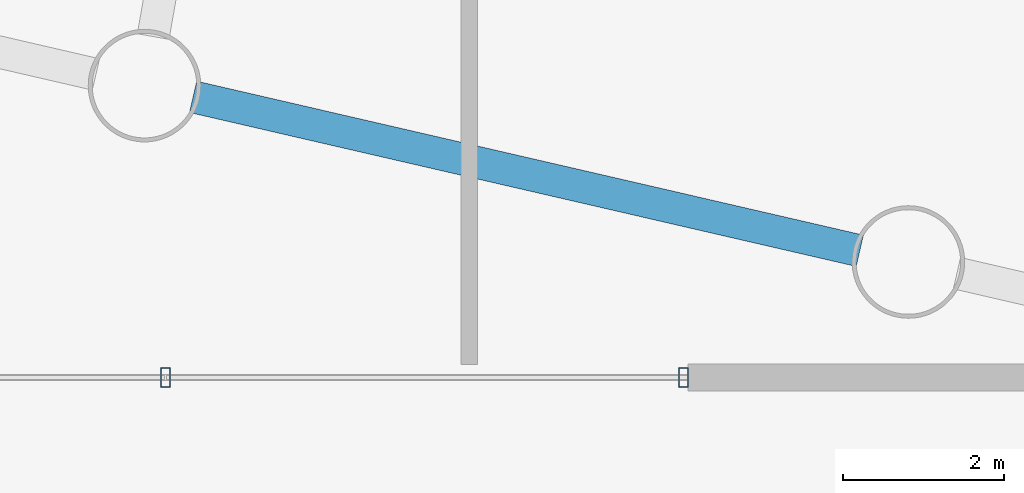
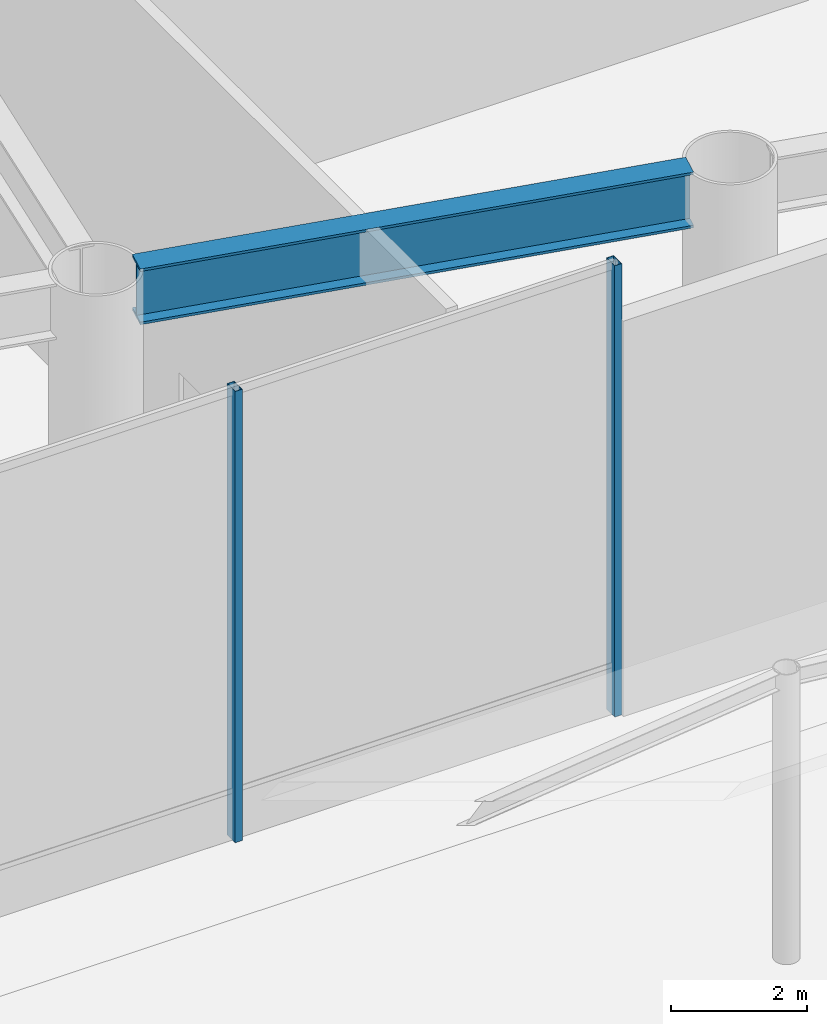
# One storey, part 11 of 28: 2 members, 1 beam, 1 element without a shape of its own.
"""IFC4 building model written with IfcOpenShell, lengths in metres."""

from ifc_helpers import new_model, si_unit, direction, frame, origin, origin_2d, place, context, subcontext, project, spatial, hollow_rectangle, i_section, extrude, material, layer, layer_set, material_profile, profile_set, type_object, element, aggregate, save


model = new_model("IFC4")

# Units and contexts
model_context = context("Model", 3, precision=1e-05, world=origin(), true_north=direction((0.0, 1.0)))
body_context = subcontext(model_context, "Body", "Model", "MODEL_VIEW")
ifc_project = project(units=[si_unit("LENGTHUNIT", "METRE"), si_unit("AREAUNIT", "SQUARE_METRE"), si_unit("VOLUMEUNIT", "CUBIC_METRE"), si_unit("PLANEANGLEUNIT", "RADIAN"), si_unit("MASSUNIT", "GRAM", prefix="KILO")], contexts=[model_context])

# Site, building, storey
site_placement = place(None, origin())
site = spatial("IfcSite", under=ifc_project, at=site_placement, CompositionType="ELEMENT")
building_placement = place(site_placement, origin())
building = spatial("IfcBuilding", under=site, at=building_placement, Name="Tavrogorsk Clinical Tower", CompositionType="ELEMENT")
storey_placement = place(building_placement, origin())
storey = spatial("IfcBuildingStorey", under=building, at=storey_placement, Name="L00", CompositionType="ELEMENT", Elevation=0.0)

# Curtain wall, members
ifc_material_1 = material(Name="Anodised aluminium and triple IGU glazing", Category="aluminium")
ifc_layer = layer(ifc_material_1, 0.179931640625)
ifc_layer_set = layer_set([ifc_layer], Name="Anodised aluminium and triple IGU glazing")
curtain_wall_type = type_object("IfcCurtainWallType", Name="CW1_LobbyStick", PredefinedType="NOTDEFINED", material=ifc_layer_set)
curtain_wall_placement = place(storey_placement, origin())
curtain_wall = element("IfcCurtainWall", 1, at=curtain_wall_placement, inside=storey, type_object=curtain_wall_type, Name="L00 Curtain Wall CW-L00-S1", PredefinedType="NOTDEFINED")
ifc_material_2 = material(Name="Anodised aluminium alloy AW-6060", Category="aluminium")
ifc_material_profile_1 = material_profile(ifc_material_2, hollow_rectangle(XDim=0.1201171875, YDim=0.239990234375, WallThickness=0.008056640625, at=origin_2d()), Name="RHS-240x120x8")
ifc_profile_set_1 = profile_set([ifc_material_profile_1], Name="Anodised aluminium alloy AW-6060")
member_type = type_object("IfcMemberType", Name="CwMullion_240x120", PredefinedType="MULLION", material=ifc_profile_set_1)
member_1_placement = place(storey_placement, frame((6.501953125, -33.0, 0.0), z_axis=(0.0, 0.0, 1.0), x_axis=(1.0, 0.0, 0.0)))
member_1 = element("IfcMember", 2, at=member_1_placement, type_object=member_type, Name="CW-L00-S1 Mullion 4", PredefinedType="MULLION", context=body_context, shape_type="SweptSolid", body=[
    extrude(hollow_rectangle(XDim=0.1201171875, YDim=0.239990234375, WallThickness=0.008056640625, at=origin_2d()), origin(), (0.0, 0.0, 1.0), 8.10009765625),
])
member_2_placement = place(storey_placement, frame((12.944091796875, -33.0, 0.0), z_axis=(0.0, 0.0, 1.0), x_axis=(1.0, 0.0, 0.0)))
member_2 = element("IfcMember", 3, at=member_2_placement, type_object=member_type, Name="CW-L00-S1 Mullion 5", PredefinedType="MULLION", context=body_context, shape_type="SweptSolid", body=[
    extrude(hollow_rectangle(XDim=0.1201171875, YDim=0.239990234375, WallThickness=0.008056640625, at=origin_2d()), origin(), (0.0, 0.0, 1.0), 8.10009765625),
])
aggregate(curtain_wall, [member_1, member_2])

# Beam
ifc_material_3 = material(Name="Structural steel S440", Category="steel")
ifc_material_profile_2 = material_profile(ifc_material_3, i_section(OverallWidth=0.39990234375, OverallDepth=1.0, WebThickness=0.028076171875, FlangeThickness=0.044921875, at=origin_2d()), Name="DK-1000x400x28x45")
ifc_profile_set_2 = profile_set([ifc_material_profile_2], Name="Structural steel S440")
beam_type = type_object("IfcBeamType", Name="TransferGirder_DK1000", PredefinedType="USERDEFINED", material=ifc_profile_set_2)
beam_placement = place(storey_placement, frame((6.846435546875, -29.51025390625, 7.60009765625), z_axis=(0.974368945516, -0.224955902375, 0.0), x_axis=(0.224955902375, 0.974368945516, 0.0)))
element("IfcBeam", 4, at=beam_placement, inside=storey, type_object=beam_type, Name="L00 Perimeter Stilt Ring Girder S6-S7", ObjectType="GIRDER", PredefinedType="USERDEFINED", context=body_context, shape_type="SweptSolid", body=[
    extrude(i_section(OverallWidth=0.39990234375, OverallDepth=1.0, WebThickness=0.028076171875, FlangeThickness=0.044921875, at=origin_2d()), origin(), (0.0, 0.0, 1.0), 8.508544921875),
])

save(model, "model.ifc")
